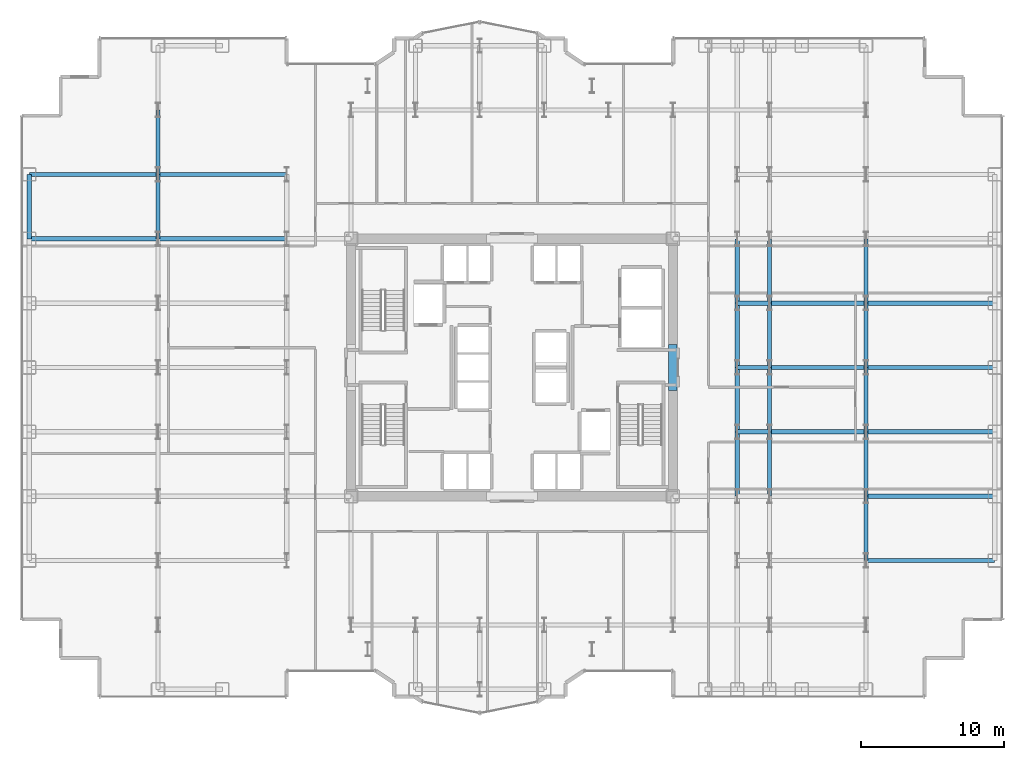
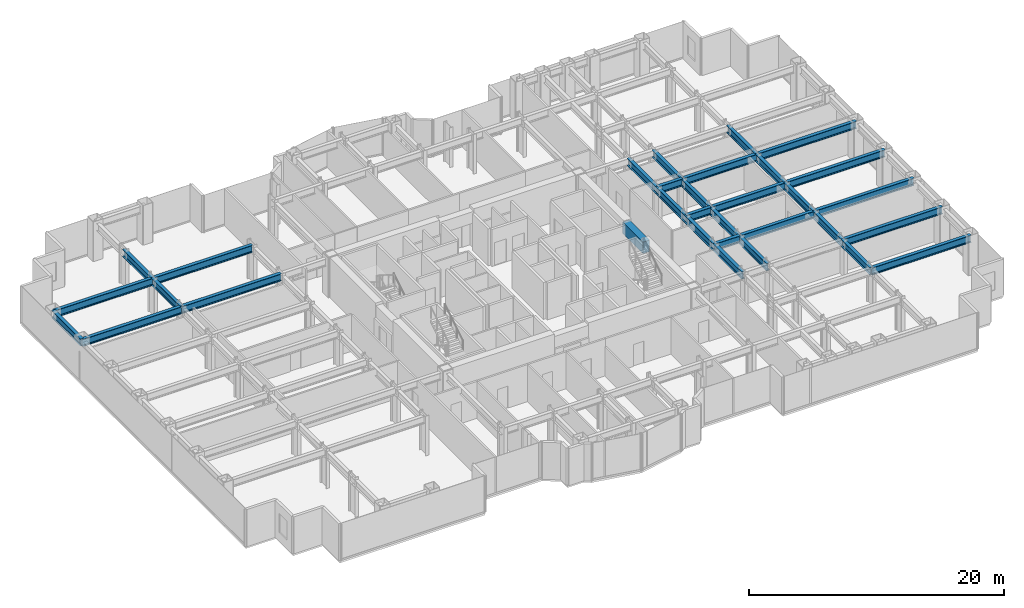
# One storey, part 8 of 26: 32 beams.
"""IFC4 building model written with IfcOpenShell, lengths in metres."""

from ifc_helpers import new_model, si_unit, direction, frame, origin, origin_2d, place, context, subcontext, project, spatial, rectangle, i_section, extrude, source, transform, mapped, material, material_profile, profile_set, type_object, element, save


model = new_model("IFC4")

# Units and contexts
model_context = context("Model", 3, precision=1e-05, world=origin(), true_north=direction((0.0, 1.0)))
body_context = subcontext(model_context, "Body", "Model", "MODEL_VIEW")
ifc_project = project(units=[si_unit("LENGTHUNIT", "METRE"), si_unit("AREAUNIT", "SQUARE_METRE"), si_unit("VOLUMEUNIT", "CUBIC_METRE"), si_unit("PLANEANGLEUNIT", "RADIAN"), si_unit("MASSUNIT", "GRAM", prefix="KILO")], contexts=[model_context])

# Site, building, storey
site_placement = place(None, origin())
site = spatial("IfcSite", under=ifc_project, at=site_placement, CompositionType="ELEMENT")
building_placement = place(site_placement, origin())
building = spatial("IfcBuilding", under=site, at=building_placement, Name="Nefas-Gora Pilgrimage Tower", CompositionType="ELEMENT")
storey_placement = place(building_placement, frame((0.0, 0.0, 63.39990234375)))
storey = spatial("IfcBuildingStorey", under=building, at=storey_placement, Name="L14", CompositionType="ELEMENT", Elevation=63.39990234375)

# Beams
ifc_material_1 = material(Name="Concrete C60/75", Category="concrete")
ifc_material_profile_1 = material_profile(ifc_material_1, rectangle(XDim=0.60009765625, YDim=1.10009765625, at=origin_2d()), Name="RC 600x1100")
ifc_profile_set_1 = profile_set([ifc_material_profile_1], Name="Concrete C60/75")
beam_type_1 = type_object("IfcBeamType", Name="BM-LIN-RC1100", PredefinedType="LINTEL", material=ifc_profile_set_1)
shared_shape_1 = source(origin(), body_context, "Body", "SweptSolid", [
    extrude(rectangle(XDim=0.60009765625, YDim=1.10009765625, at=origin_2d()), origin(), (0.0, 0.0, 1.0), 3.2001953125),
])
beam_1_placement = place(storey_placement, frame((11.25, -1.60009765625, 3.0), z_axis=(0.0, 1.0, 0.0), x_axis=(-1.0, 0.0, 0.0)))
element("IfcBeam", 1, at=beam_1_placement, inside=storey, type_object=beam_type_1, Name="L14 Core Coupling Lintel Beam E", PredefinedType="LINTEL", context=body_context, shape_type="MappedRepresentation", body=[
    mapped(shared_shape_1, transform((0.0, 0.0, 0.0), x_axis=(1.0, 0.0, 0.0), y_axis=(0.0, 1.0, 0.0), z_axis=(0.0, 0.0, 1.0), scale=1.0)),
])
ifc_material_2 = material(Name="Steel S355", Category="steel")
ifc_material_profile_2 = material_profile(ifc_material_2, i_section(OverallWidth=0.300048828125, OverallDepth=0.699951171875, WebThickness=0.01708984375, FlangeThickness=0.031982421875, FilletRadius=0.027099609375, at=origin_2d()), Name="HEB 700")
ifc_profile_set_2 = profile_set([ifc_material_profile_2], Name="Steel S355")
beam_type_2 = type_object("IfcBeamType", Name="BM-SPN-HEB600", PredefinedType="SPANDREL", material=ifc_profile_set_2)
shared_shape_2 = source(origin(), body_context, "Body", "SweptSolid", [
    extrude(i_section(OverallWidth=0.300048828125, OverallDepth=0.699951171875, WebThickness=0.01708984375, FlangeThickness=0.031982421875, FilletRadius=0.027099609375, at=origin_2d()), origin(), (0.0, 0.0, 1.0), 4.5),
])
beam_2_placement = place(storey_placement, frame((-33.75, 9.0, 3.2001953125), z_axis=(0.0, 1.0, 0.0), x_axis=(-1.0, 0.0, 0.0)))
element("IfcBeam", 2, at=beam_2_placement, inside=storey, type_object=beam_type_2, Name="L14 SP-01 beam", PredefinedType="SPANDREL", context=body_context, shape_type="MappedRepresentation", body=[
    mapped(shared_shape_2, transform((0.0, 0.0, 0.0), x_axis=(1.0, 0.0, 0.0), y_axis=(0.0, 1.0, 0.0), z_axis=(0.0, 0.0, 1.0), scale=1.0)),
])
ifc_material_profile_3 = material_profile(ifc_material_2, i_section(OverallWidth=0.300048828125, OverallDepth=0.699951171875, WebThickness=0.01708984375, FlangeThickness=0.031982421875, FilletRadius=0.027099609375, at=origin_2d()), Name="HEB 700")
ifc_profile_set_3 = profile_set([ifc_material_profile_3], Name="Steel S355")
beam_type_3 = type_object("IfcBeamType", Name="BM-GIR-HEB700", PredefinedType="BEAM", material=ifc_profile_set_3)
shared_shape_3 = source(origin(), body_context, "Body", "SweptSolid", [
    extrude(i_section(OverallWidth=0.300048828125, OverallDepth=0.699951171875, WebThickness=0.01708984375, FlangeThickness=0.031982421875, FilletRadius=0.027099609375, at=origin_2d()), origin(), (0.0, 0.0, 1.0), 9.0),
])
for number, where, z_axis, x_axis, name in (
    (3, (-33.75, 9.0, 3.2001953125), (1.0, 0.0, 0.0), (0.0, 1.0, 0.0), "L14 G-02 beam"),
    (4, (-33.75, 13.5, 3.2001953125), (1.0, 0.0, 0.0), (0.0, 1.0, 0.0), "L14 G-02 beam"),
    (5, (-24.75, 9.0, 3.2001953125), (1.0, 0.0, 0.0), (0.0, 1.0, 0.0), "L14 G-02 beam"),
    (6, (-24.75, 13.5, 3.2001953125), (1.0, 0.0, 0.0), (0.0, 1.0, 0.0), "L14 G-02 beam"),
    (7, (24.75, -13.5, 3.2001953125), (1.0, 0.0, 0.0), (0.0, 1.0, 0.0), "L14 G-02 beam"),
    (8, (24.75, -9.0, 3.2001953125), (1.0, 0.0, 0.0), (0.0, 1.0, 0.0), "L14 G-02 beam"),
    (9, (24.75, -4.5, 3.2001953125), (1.0, 0.0, 0.0), (0.0, 1.0, 0.0), "L14 G-02 beam"),
    (10, (24.75, 0.0, 3.2001953125), (1.0, 0.0, 0.0), (0.0, 1.0, 0.0), "L14 G-02 beam"),
    (11, (24.75, 4.5, 3.2001953125), (1.0, 0.0, 0.0), (0.0, 1.0, 0.0), "L14 G-02 beam"),
):
    element("IfcBeam", number, at=place(storey_placement, frame(where, z_axis=z_axis, x_axis=x_axis)), inside=storey, type_object=beam_type_3, Name=name, PredefinedType="BEAM", context=body_context, shape_type="MappedRepresentation", body=[
        mapped(shared_shape_3, transform((0.0, 0.0, 0.0), x_axis=(1.0, 0.0, 0.0), y_axis=(0.0, 1.0, 0.0), z_axis=(0.0, 0.0, 1.0), scale=1.0)),
    ])
shared_shape_4 = source(origin(), body_context, "Body", "SweptSolid", [
    extrude(i_section(OverallWidth=0.300048828125, OverallDepth=0.699951171875, WebThickness=0.01708984375, FlangeThickness=0.031982421875, FilletRadius=0.027099609375, at=origin_2d()), origin(), (0.0, 0.0, 1.0), 4.5),
])
for number, where, z_axis, x_axis, name in (
    (12, (-24.75, 9.0, 3.2001953125), (0.0, 1.0, 0.0), (-1.0, 0.0, 0.0), "L14 G-02 beam"),
    (13, (-24.75, 13.5, 3.2001953125), (0.0, 1.0, 0.0), (-1.0, 0.0, 0.0), "L14 G-02 beam"),
    (14, (15.75, -9.0, 3.2001953125), (0.0, 1.0, 0.0), (-1.0, 0.0, 0.0), "L14 G-02 beam"),
    (15, (15.75, -4.5, 3.2001953125), (0.0, 1.0, 0.0), (-1.0, 0.0, 0.0), "L14 G-02 beam"),
    (16, (15.75, 0.0, 3.2001953125), (0.0, 1.0, 0.0), (-1.0, 0.0, 0.0), "L14 G-02 beam"),
    (17, (15.75, 4.5, 3.2001953125), (0.0, 1.0, 0.0), (-1.0, 0.0, 0.0), "L14 G-02 beam"),
    (18, (18.0, -9.0, 3.2001953125), (0.0, 1.0, 0.0), (-1.0, 0.0, 0.0), "L14 G-02 beam"),
    (19, (18.0, -4.5, 3.2001953125), (0.0, 1.0, 0.0), (-1.0, 0.0, 0.0), "L14 G-02 beam"),
    (20, (18.0, 0.0, 3.2001953125), (0.0, 1.0, 0.0), (-1.0, 0.0, 0.0), "L14 G-02 beam"),
    (21, (18.0, 4.5, 3.2001953125), (0.0, 1.0, 0.0), (-1.0, 0.0, 0.0), "L14 G-02 beam"),
    (22, (24.75, -13.5, 3.2001953125), (0.0, 1.0, 0.0), (-1.0, 0.0, 0.0), "L14 G-02 beam"),
    (23, (24.75, -9.0, 3.2001953125), (0.0, 1.0, 0.0), (-1.0, 0.0, 0.0), "L14 G-02 beam"),
    (24, (24.75, -4.5, 3.2001953125), (0.0, 1.0, 0.0), (-1.0, 0.0, 0.0), "L14 G-02 beam"),
    (25, (24.75, 0.0, 3.2001953125), (0.0, 1.0, 0.0), (-1.0, 0.0, 0.0), "L14 G-02 beam"),
    (26, (24.75, 4.5, 3.2001953125), (0.0, 1.0, 0.0), (-1.0, 0.0, 0.0), "L14 G-02 beam"),
):
    element("IfcBeam", number, at=place(storey_placement, frame(where, z_axis=z_axis, x_axis=x_axis)), inside=storey, type_object=beam_type_3, Name=name, PredefinedType="BEAM", context=body_context, shape_type="MappedRepresentation", body=[
        mapped(shared_shape_4, transform((0.0, 0.0, 0.0), x_axis=(1.0, 0.0, 0.0), y_axis=(0.0, 1.0, 0.0), z_axis=(0.0, 0.0, 1.0), scale=1.0)),
    ])
shared_shape_5 = source(origin(), body_context, "Body", "SweptSolid", [
    extrude(i_section(OverallWidth=0.300048828125, OverallDepth=0.699951171875, WebThickness=0.01708984375, FlangeThickness=0.031982421875, FilletRadius=0.027099609375, at=origin_2d()), origin(), (0.0, 0.0, 1.0), 6.75),
])
for number, where, z_axis, x_axis, name in (
    (27, (18.0, -4.5, 3.2001953125), (1.0, 0.0, 0.0), (0.0, 1.0, 0.0), "L14 G-02 beam"),
    (28, (18.0, 0.0, 3.2001953125), (1.0, 0.0, 0.0), (0.0, 1.0, 0.0), "L14 G-02 beam"),
    (29, (18.0, 4.5, 3.2001953125), (1.0, 0.0, 0.0), (0.0, 1.0, 0.0), "L14 G-02 beam"),
):
    element("IfcBeam", number, at=place(storey_placement, frame(where, z_axis=z_axis, x_axis=x_axis)), inside=storey, type_object=beam_type_3, Name=name, PredefinedType="BEAM", context=body_context, shape_type="MappedRepresentation", body=[
        mapped(shared_shape_5, transform((0.0, 0.0, 0.0), x_axis=(1.0, 0.0, 0.0), y_axis=(0.0, 1.0, 0.0), z_axis=(0.0, 0.0, 1.0), scale=1.0)),
    ])
shared_shape_6 = source(origin(), body_context, "Body", "SweptSolid", [
    extrude(i_section(OverallWidth=0.300048828125, OverallDepth=0.699951171875, WebThickness=0.01708984375, FlangeThickness=0.031982421875, FilletRadius=0.027099609375, at=origin_2d()), origin(), (0.0, 0.0, 1.0), 2.25),
])
for number, where, z_axis, x_axis, name in (
    (30, (15.75, -4.5, 3.2001953125), (1.0, 0.0, 0.0), (0.0, 1.0, 0.0), "L14 G-02 beam"),
    (31, (15.75, 0.0, 3.2001953125), (1.0, 0.0, 0.0), (0.0, 1.0, 0.0), "L14 G-02 beam"),
    (32, (15.75, 4.5, 3.2001953125), (1.0, 0.0, 0.0), (0.0, 1.0, 0.0), "L14 G-02 beam"),
):
    element("IfcBeam", number, at=place(storey_placement, frame(where, z_axis=z_axis, x_axis=x_axis)), inside=storey, type_object=beam_type_3, Name=name, PredefinedType="BEAM", context=body_context, shape_type="MappedRepresentation", body=[
        mapped(shared_shape_6, transform((0.0, 0.0, 0.0), x_axis=(1.0, 0.0, 0.0), y_axis=(0.0, 1.0, 0.0), z_axis=(0.0, 0.0, 1.0), scale=1.0)),
    ])

save(model, "model.ifc")
